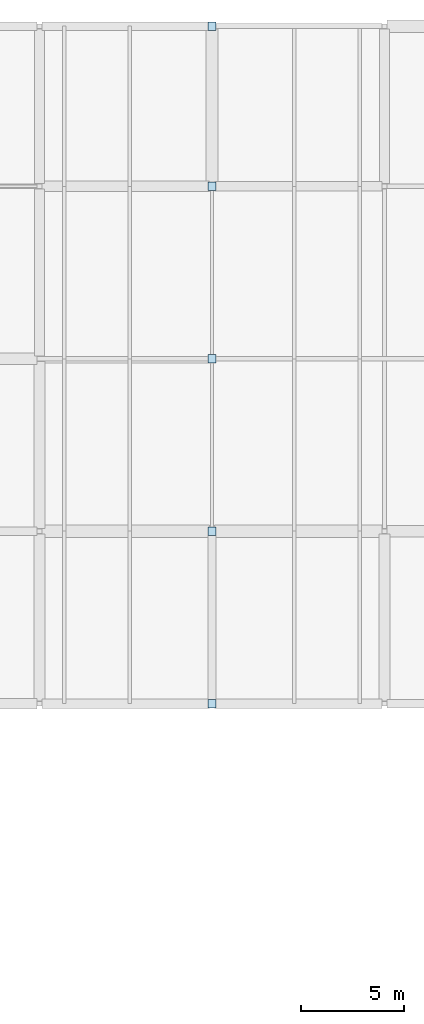
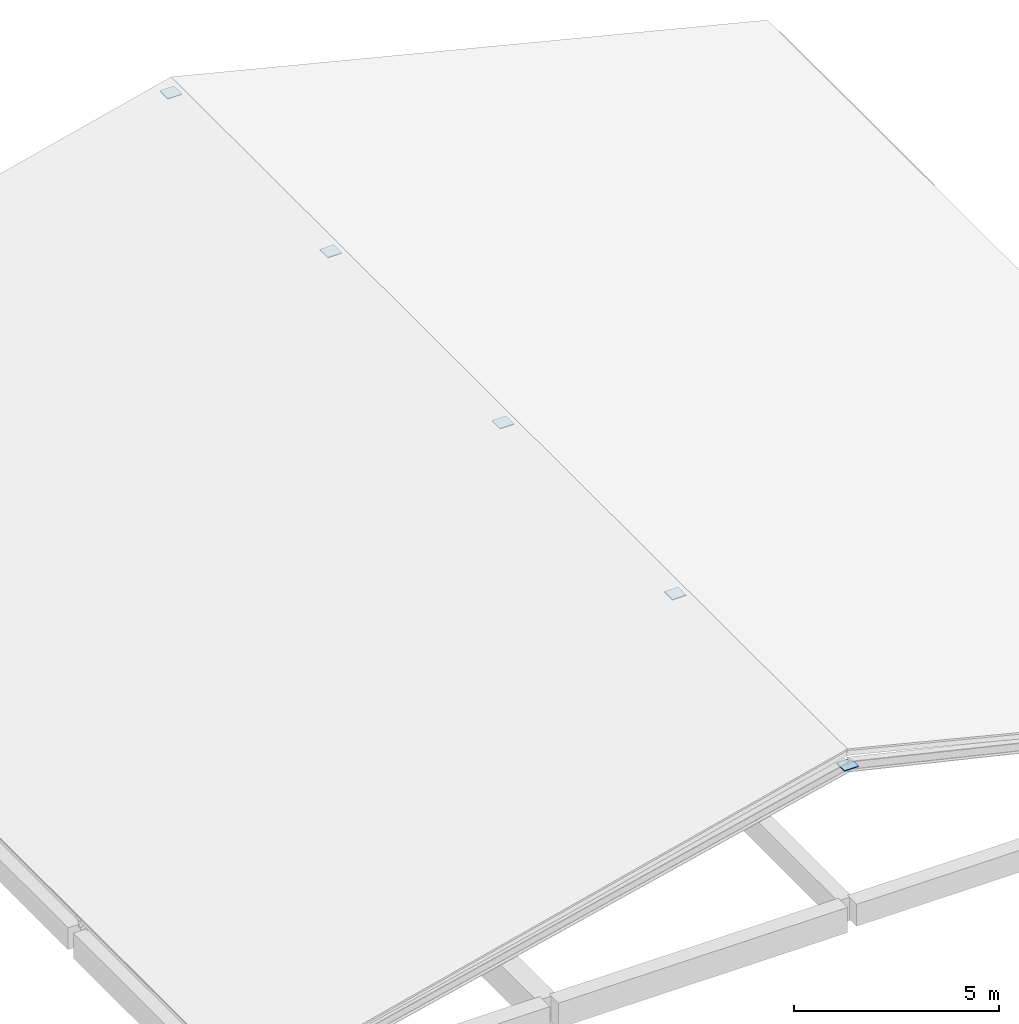
# One storey, part 26 of 42: 5 plates.
"""IFC4 building model written with IfcOpenShell, lengths in metres."""

from ifc_helpers import new_model, si_unit, derived_unit, direction, frame, origin, origin_2d, place, context, subcontext, project, spatial, rectangle, extrude, material, layer, layer_set, type_object, element, save


model = new_model("IFC4")

# Units and contexts
model_context = context("Model", 3, precision=1e-05, world=origin(), true_north=direction((0.0, 1.0)))
body_context = subcontext(model_context, "Body", "Model", "MODEL_VIEW")
ifc_project = project(units=[si_unit("LENGTHUNIT", "METRE"), si_unit("AREAUNIT", "SQUARE_METRE"), si_unit("VOLUMEUNIT", "CUBIC_METRE"), si_unit("PLANEANGLEUNIT", "RADIAN"), si_unit("MASSUNIT", "GRAM", prefix="KILO"), derived_unit("THERMALTRANSMITTANCEUNIT", [(si_unit("POWERUNIT", "WATT"), 1), (si_unit("LENGTHUNIT", "METRE"), -2), (si_unit("THERMODYNAMICTEMPERATUREUNIT", "KELVIN"), -1)])], contexts=[model_context])

# Site, building, storey
site_placement = place(None, origin())
site = spatial("IfcSite", under=ifc_project, at=site_placement, CompositionType="ELEMENT")
building_placement = place(site_placement, origin())
building = spatial("IfcBuilding", under=site, at=building_placement, Name="Barrovel Congress Hotel", CompositionType="ELEMENT")
storey_placement = place(building_placement, frame((0.0, 0.0, 18.300048828125)))
storey = spatial("IfcBuildingStorey", under=building, at=storey_placement, Name="L04", CompositionType="ELEMENT", Elevation=18.300048828125)

# Plates
ifc_material = material(Name="Steel ASTM A992 Grade 50", Category="steel")
ifc_layer = layer(ifc_material, 0.02392578125)
ifc_layer_set = layer_set([ifc_layer], Name="Steel ASTM A992 Grade 50")
plate_type = type_object("IfcPlateType", Name="GP-24", PredefinedType="SHEET", material=ifc_layer_set)
for number, where, z_axis, x_axis, name in (
    (1, (159.60009765625, 79.800048828125, 3.756591796875), (0.0, 0.0, 1.0), (1.0, 0.0, 0.0), "V3-RAF-GP:79.8"),
    (2, (159.60009765625, 88.199951171875, 3.756591796875), (0.0, 0.0, 1.0), (1.0, 0.0, 0.0), "V3-RAF-GP:88.2"),
    (3, (159.60009765625, 96.60009765625, 3.756591796875), (0.0, 0.0, 1.0), (1.0, 0.0, 0.0), "V3-RAF-GP:96.6"),
    (4, (159.60009765625, 105.0, 3.756591796875), (0.0, 0.0, 1.0), (1.0, 0.0, 0.0), "V3-RAF-GP:105.0"),
    (5, (159.60009765625, 112.800048828125, 3.756591796875), (0.0, 0.0, 1.0), (1.0, 0.0, 0.0), "V3-RAF-GP:112.8"),
):
    element("IfcPlate", number, at=place(storey_placement, frame(where, z_axis=z_axis, x_axis=x_axis)), inside=storey, type_object=plate_type, Name=name, PredefinedType="SHEET", context=body_context, shape_type="SweptSolid", body=[
        extrude(rectangle(XDim=0.39990234375, YDim=0.39990234375, at=origin_2d()), origin(), (0.0, 0.0, 1.0), 0.02392578125),
    ])

save(model, "model.ifc")
